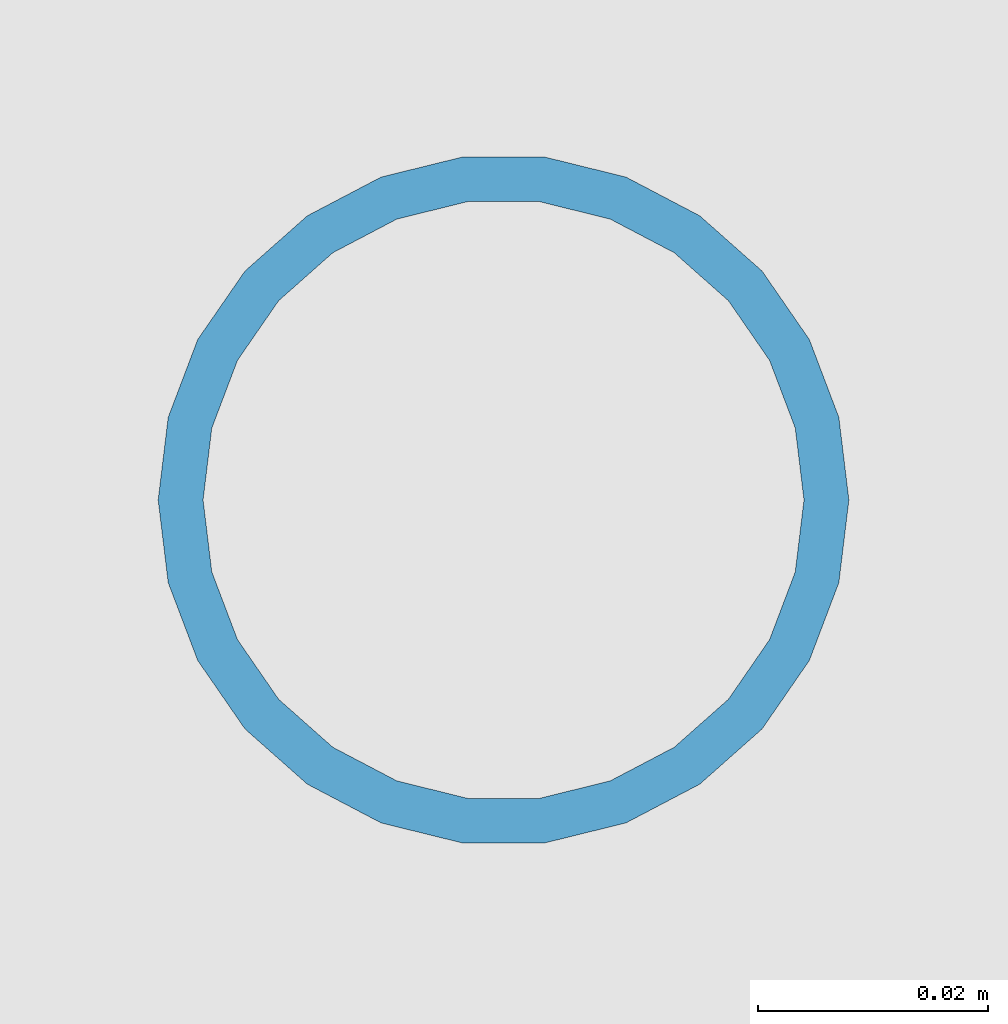
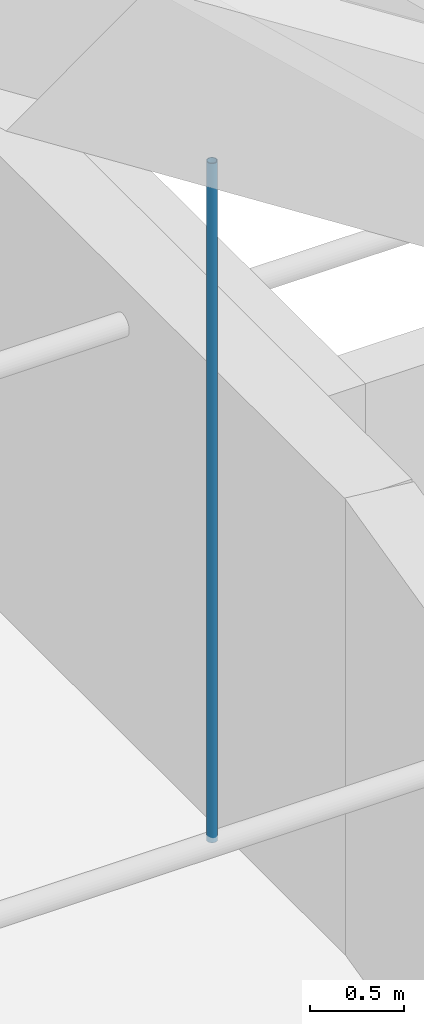
# One storey, part 41 of 94: 1 member.
"""IFC4 building model written with IfcOpenShell, lengths in metres."""

import ifcopenshell
import ifcopenshell.guid

model = None  # the IFC model being written
_history = None  # IfcOwnerHistory: only IFC2X3 demands one
_inside = {}  # id of a spatial element -> (the spatial element, [elements in it])
_under = {}  # id of a project, library or spatial element -> (it, [spatial elements below it])
_declared = {}  # id of a project -> (the project, [libraries it declares])
_typed = {}  # id of a type object -> (the type object, [elements of that type])
_made_of = {}  # id of a material, layer set ... -> (it, [elements and type objects made of it])


def new_model(schema):
    """Start an empty IFC model of exactly this schema.

    Asked for "IFC4X3", IfcOpenShell would pick the latest addendum, in which some entities
    have other attributes; the version numbers below select the first issue.
    IFC2X3 requires an IfcOwnerHistory on every rooted entity: one is made here for all.
    """
    global model, _history
    if schema == "IFC4X3":
        model = ifcopenshell.file(schema_version=(4, 3, 0, 0))
    else:
        model = ifcopenshell.file(schema=schema)
    _inside.clear()
    _under.clear()
    _declared.clear()
    _typed.clear()
    _made_of.clear()
    _history = None
    if model.schema == "IFC2X3":
        org = make("IfcOrganization", Name="unknown")
        user = make(
            "IfcPersonAndOrganization",
            ThePerson=make("IfcPerson", FamilyName="unknown"),
            TheOrganization=org,
        )
        app = make(
            "IfcApplication",
            ApplicationDeveloper=org,
            Version="unknown",
            ApplicationFullName="unknown",
            ApplicationIdentifier="unknown",
        )
        _history = make(
            "IfcOwnerHistory",
            OwningUser=user,
            OwningApplication=app,
            ChangeAction="ADDED",
            CreationDate=0,
        )
    return model


def make(cls, **values):
    """One entity of the class cls with the attributes given. An attribute that is None is left unset."""
    return model.create_entity(
        cls, **{name: value for name, value in values.items() if value is not None}
    )


def rooted(cls, **values):
    """An entity with a GlobalId (a new one), such as an element, a storey or a relation."""
    return make(cls, GlobalId=ifcopenshell.guid.new(), OwnerHistory=_history, **values)


def si_unit(unit_type, name, prefix=None):
    """IfcSIUnit, for example si_unit("LENGTHUNIT", "METRE", prefix="MILLI")."""
    return make("IfcSIUnit", UnitType=unit_type, Prefix=prefix, Name=name)


def assignment(units):
    """IfcUnitAssignment: the units of a project."""
    return None if units is None else make("IfcUnitAssignment", Units=units)


def point(xyz):
    """IfcCartesianPoint."""
    return None if xyz is None else make("IfcCartesianPoint", Coordinates=xyz)


def direction(xyz):
    """IfcDirection."""
    return None if xyz is None else make("IfcDirection", DirectionRatios=xyz)


def frame(location, z_axis=None, x_axis=None):
    """IfcAxis2Placement3D, a coordinate frame: its origin and axes. An axis left out is left unset."""
    return make(
        "IfcAxis2Placement3D",
        Location=point(location),
        Axis=direction(z_axis),
        RefDirection=direction(x_axis),
    )


def frame_2d(location, x_axis=None):
    """IfcAxis2Placement2D, a coordinate frame in the plane: its origin and x axis."""
    return make(
        "IfcAxis2Placement2D", Location=point(location), RefDirection=direction(x_axis)
    )


def origin():
    """The frame at (0, 0, 0) with its axes left unset."""
    return frame((0.0, 0.0, 0.0))


def origin_2d():
    """The frame at (0, 0) in the plane with its x axis left unset."""
    return frame_2d((0.0, 0.0))


def place(relative_to, where):
    """IfcLocalPlacement: puts the frame where relative to a parent placement (None: the world)."""
    return make(
        "IfcLocalPlacement", PlacementRelTo=relative_to, RelativePlacement=where
    )


def context(
    kind, dimensions, precision=None, world=None, true_north=None, identifier=None
):
    """IfcGeometricRepresentationContext, for example the 3D "Model" context."""
    return make(
        "IfcGeometricRepresentationContext",
        ContextIdentifier=identifier,
        ContextType=kind,
        CoordinateSpaceDimension=dimensions,
        Precision=precision,
        WorldCoordinateSystem=world,
        TrueNorth=true_north,
    )


def subcontext(parent, identifier, kind, view, scale=None):
    """IfcGeometricRepresentationSubContext, for example "Body" below "Model"."""
    return make(
        "IfcGeometricRepresentationSubContext",
        ContextIdentifier=identifier,
        ContextType=kind,
        ParentContext=parent,
        TargetScale=scale,
        TargetView=view,
    )


def project(units=None, contexts=None):
    """IfcProject with its units and contexts."""
    return rooted(
        "IfcProject",
        Name="project",
        RepresentationContexts=contexts,
        UnitsInContext=assignment(units),
    )


def spatial(cls, under=None, at=None, **own):
    """A site, building, storey or space (cls), placed at a placement, below another one or the project."""
    s = rooted(cls, ObjectPlacement=at, **own)
    if under is not None:
        _under.setdefault(under.id(), (under, []))[1].append(s)
    return s


def profile(cls, at=None, kind="AREA", **sizes):
    """A parametric profile (cls). Its sizes go by their IFC names, for example OverallWidth=200.0."""
    return make(cls, ProfileType=kind, Position=at, **sizes)


def hollow_circle(**sizes):
    """IfcCircleHollowProfileDef."""
    return profile("IfcCircleHollowProfileDef", **sizes)


def extrude(swept, where, along, depth):
    """IfcExtrudedAreaSolid: the profile swept, set in the frame where, extruded along a direction by depth."""
    return make(
        "IfcExtrudedAreaSolid",
        SweptArea=swept,
        Position=where,
        ExtrudedDirection=direction(along),
        Depth=depth,
    )


def shape(context_of_items, identifier, shape_type, items):
    """IfcShapeRepresentation: the items that make up one representation, for example the "Body"."""
    return make(
        "IfcShapeRepresentation",
        ContextOfItems=context_of_items,
        RepresentationIdentifier=identifier,
        RepresentationType=shape_type,
        Items=items,
    )


def material(Name=None, Category=None):
    """IfcMaterial."""
    return make("IfcMaterial", Name=Name, Category=Category)


def material_profile(
    of_material, cross_section, Name=None, Category=None, Priority=None
):
    """IfcMaterialProfile: a cross section and its material."""
    return make(
        "IfcMaterialProfile",
        Name=Name,
        Material=of_material,
        Profile=cross_section,
        Priority=Priority,
        Category=Category,
    )


def profile_set(profiles, Name=None, composite=None):
    """IfcMaterialProfileSet."""
    return make(
        "IfcMaterialProfileSet",
        Name=Name,
        MaterialProfiles=profiles,
        CompositeProfile=composite,
    )


def made_of(thing, what):
    """Note that an element or type object is made of a material, layer set ...; save() writes the relation."""
    if what is not None:
        _made_of.setdefault(what.id(), (what, []))[1].append(thing)
    return thing


def type_object(cls, material=None, **own):
    """A type object (cls), such as IfcWallType, which elements share."""
    return made_of(rooted(cls, **own), material)


def element(
    cls,
    number,
    at=None,
    inside=None,
    cuts=None,
    type_object=None,
    material=None,
    context=None,
    identifier="Body",
    shape_type=None,
    held_by="IfcProductDefinitionShape",
    body=None,
    shapes=None,
    **own,
):
    """One element of the class cls, such as IfcWall. Its Tag is "e" and its number.

    at: its placement. inside: the storey or other place that contains it. cuts: it is an
    opening in that element (IfcRelVoidsElement). A single representation is given by context,
    identifier, shape_type and body (its items); several are given by shapes. held_by: the class
    of the entity that holds the representations. save() writes the other relations.
    """
    e = rooted(cls, Tag="e%d" % number, ObjectPlacement=at, **own)
    if body is not None:
        shapes = [shape(context, identifier, shape_type, body)]
    if shapes is not None:
        e.Representation = make(held_by, Representations=shapes)
    if inside is not None:
        _inside.setdefault(inside.id(), (inside, []))[1].append(e)
    if cuts is not None:
        rooted(
            "IfcRelVoidsElement", RelatingBuildingElement=cuts, RelatedOpeningElement=e
        )
    if type_object is not None:
        _typed.setdefault(type_object.id(), (type_object, []))[1].append(e)
    return made_of(e, material)


def aggregate(whole, parts):
    """IfcRelAggregates: a whole, such as a stair, and the parts it consists of."""
    return rooted("IfcRelAggregates", RelatingObject=whole, RelatedObjects=parts)


def save(model, path):
    """Write the relations noted so far, then the file.

    IfcRelAggregates (storeys below a building ...), IfcRelContainedInSpatialStructure (elements
    in a storey), IfcRelDefinesByType, IfcRelAssociatesMaterial and IfcRelDeclares: one each for
    every whole, place, type object, material and project.
    """
    for whole, parts in _under.values():
        aggregate(whole, parts)
    for where, things in _inside.values():
        rooted(
            "IfcRelContainedInSpatialStructure",
            RelatedElements=things,
            RelatingStructure=where,
        )
    for kind, things in _typed.values():
        rooted("IfcRelDefinesByType", RelatedObjects=things, RelatingType=kind)
    for what, things in _made_of.values():
        rooted("IfcRelAssociatesMaterial", RelatedObjects=things, RelatingMaterial=what)
    for by, libraries in _declared.values():
        rooted("IfcRelDeclares", RelatingContext=by, RelatedDefinitions=libraries)
    model.write(path)


model = new_model("IFC4")

# Units and contexts
model_context = context("Model", 3, precision=1e-05, world=origin(), true_north=direction((0.0, 1.0)))
body_context = subcontext(model_context, "Body", "Model", "MODEL_VIEW")
ifc_project = project(units=[si_unit("LENGTHUNIT", "METRE"), si_unit("AREAUNIT", "SQUARE_METRE"), si_unit("VOLUMEUNIT", "CUBIC_METRE"), si_unit("PLANEANGLEUNIT", "RADIAN"), si_unit("MASSUNIT", "GRAM", prefix="KILO")], contexts=[model_context])

# Site, building, storey
site_placement = place(None, origin())
site = spatial("IfcSite", under=ifc_project, at=site_placement, CompositionType="ELEMENT")
building_placement = place(site_placement, origin())
building = spatial("IfcBuilding", under=site, at=building_placement, Name="Lunette Opera House", CompositionType="ELEMENT")
storey_placement = place(building_placement, frame((0.0, 0.0, 22.5)))
storey = spatial("IfcBuildingStorey", under=building, at=storey_placement, Name="L04", CompositionType="ELEMENT", Elevation=22.5)

# Member
ifc_material = material(Name="Steel S355", Category="steel")
ifc_material_profile = material_profile(ifc_material, hollow_circle(Radius=0.030029296875, WallThickness=0.00390625, at=origin_2d()), Name="CHS 60.3X4")
ifc_profile_set = profile_set([ifc_material_profile], Name="Steel S355")
member_type = type_object("IfcMemberType", Name="CHS 60.3X4", PredefinedType="POST", material=ifc_profile_set)
member_placement = place(storey_placement, frame((109.0, 81.95703125, 2.72998046875), z_axis=(0.0, 0.0, 1.0), x_axis=(1.0, 0.0, 0.0)))
element("IfcMember", 1, at=member_placement, inside=storey, type_object=member_type, Name="mem-AU-L04-HG5-109", PredefinedType="POST", context=body_context, shape_type="SweptSolid", body=[
    extrude(hollow_circle(Radius=0.030029296875, WallThickness=0.00390625, at=origin_2d()), origin(), (0.0, 0.0, 1.0), 4.4111328125),
])

save(model, "model.ifc")
